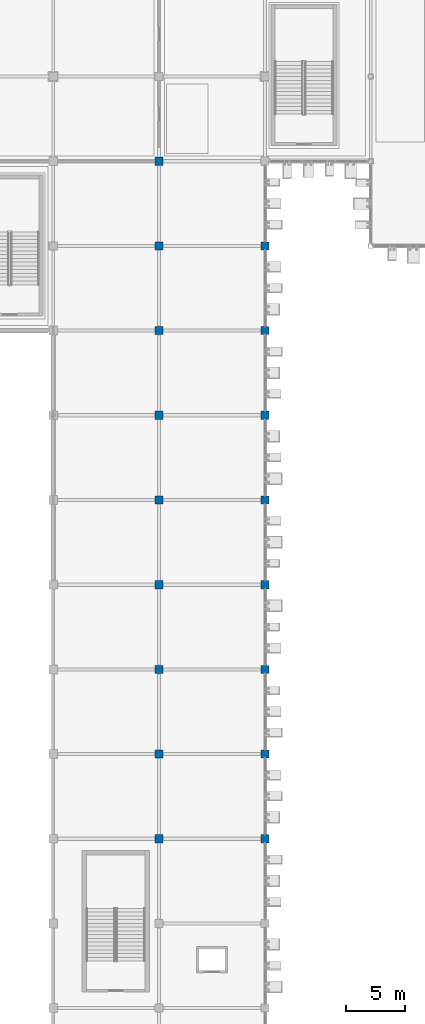
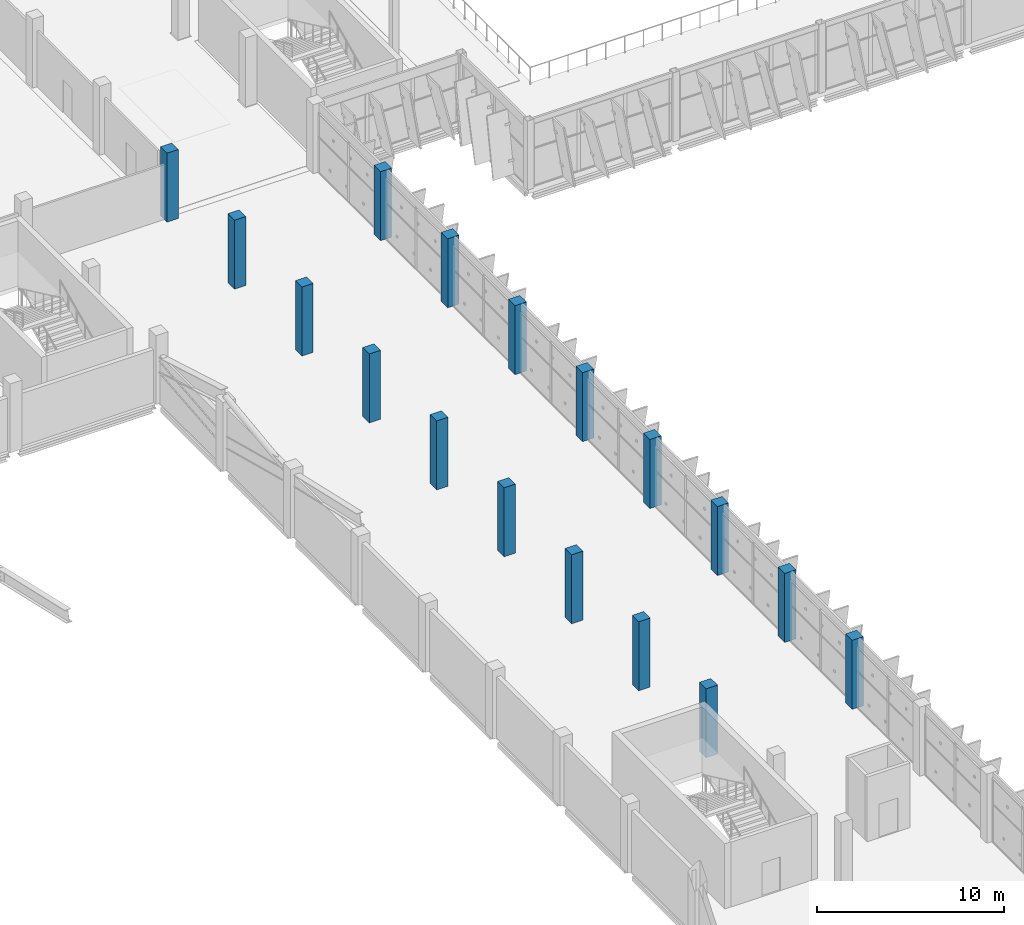
# One storey, part 8 of 151: 17 columns.
"""IFC4 building model written with IfcOpenShell, lengths in metres."""

from ifc_helpers import new_model, si_unit, direction, frame, origin, origin_2d, place, context, subcontext, project, spatial, rectangle, extrude, material, material_profile, profile_set, type_object, element, save


model = new_model("IFC4")

# Units and contexts
model_context = context("Model", 3, precision=1e-05, world=origin(), true_north=direction((0.0, 1.0)))
body_context = subcontext(model_context, "Body", "Model", "MODEL_VIEW")
ifc_project = project(units=[si_unit("LENGTHUNIT", "METRE"), si_unit("AREAUNIT", "SQUARE_METRE"), si_unit("VOLUMEUNIT", "CUBIC_METRE"), si_unit("PLANEANGLEUNIT", "RADIAN"), si_unit("MASSUNIT", "GRAM", prefix="KILO")], contexts=[model_context])

# Site, building, storey
site_placement = place(None, origin())
site = spatial("IfcSite", under=ifc_project, at=site_placement, CompositionType="ELEMENT")
building_placement = place(site_placement, origin())
building = spatial("IfcBuilding", under=site, at=building_placement, Name="Celestram Park Convention Centre", CompositionType="ELEMENT")
storey_placement = place(building_placement, frame((0.0, 0.0, 10.800048828125)))
storey = spatial("IfcBuildingStorey", under=building, at=storey_placement, Name="L02", CompositionType="ELEMENT", Elevation=10.800048828125)

# Columns
ifc_material = material(Name="Concrete C40/50", Category="concrete")
ifc_material_profile = material_profile(ifc_material, rectangle(XDim=0.699951171875, YDim=0.699951171875, at=origin_2d()), Name="RC700X700")
ifc_profile_set = profile_set([ifc_material_profile], Name="Concrete C40/50")
column_type = type_object("IfcColumnType", Name="STR-COL-RC700", PredefinedType="COLUMN", material=ifc_profile_set)
for number, where, z_axis, x_axis, name in (
    (1, (135.0, 64.800048828125, 0.0), (0.0, 0.0, 1.0), (1.0, 0.0, 0.0), "Column CN-L02-142"),
    (2, (135.0, 72.0, 0.0), (0.0, 0.0, 1.0), (1.0, 0.0, 0.0), "Column CN-L02-143"),
    (3, (135.0, 79.199951171875, 0.0), (0.0, 0.0, 1.0), (1.0, 0.0, 0.0), "Column CN-L02-144"),
    (4, (135.0, 86.39990234375, 0.0), (0.0, 0.0, 1.0), (1.0, 0.0, 0.0), "Column CN-L02-145"),
    (5, (135.0, 93.60009765625, 0.0), (0.0, 0.0, 1.0), (1.0, 0.0, 0.0), "Column CN-L02-146"),
    (6, (135.0, 100.800048828125, 0.0), (0.0, 0.0, 1.0), (1.0, 0.0, 0.0), "Column CN-L02-147"),
    (7, (135.0, 108.0, 0.0), (0.0, 0.0, 1.0), (1.0, 0.0, 0.0), "Column CN-L02-148"),
    (8, (135.0, 115.199951171875, 0.0), (0.0, 0.0, 1.0), (1.0, 0.0, 0.0), "Column CN-L02-149"),
    (9, (135.0, 122.39990234375, 0.0), (0.0, 0.0, 1.0), (1.0, 0.0, 0.0), "Column CN-L02-150"),
    (10, (144.0, 64.800048828125, 0.0), (0.0, 0.0, 1.0), (1.0, 0.0, 0.0), "Column CN-L02-166"),
    (11, (144.0, 72.0, 0.0), (0.0, 0.0, 1.0), (1.0, 0.0, 0.0), "Column CN-L02-167"),
    (12, (144.0, 79.199951171875, 0.0), (0.0, 0.0, 1.0), (1.0, 0.0, 0.0), "Column CN-L02-168"),
    (13, (144.0, 86.39990234375, 0.0), (0.0, 0.0, 1.0), (1.0, 0.0, 0.0), "Column CN-L02-169"),
    (14, (144.0, 93.60009765625, 0.0), (0.0, 0.0, 1.0), (1.0, 0.0, 0.0), "Column CN-L02-170"),
    (15, (144.0, 100.800048828125, 0.0), (0.0, 0.0, 1.0), (1.0, 0.0, 0.0), "Column CN-L02-171"),
    (16, (144.0, 108.0, 0.0), (0.0, 0.0, 1.0), (1.0, 0.0, 0.0), "Column CN-L02-172"),
    (17, (144.0, 115.199951171875, 0.0), (0.0, 0.0, 1.0), (1.0, 0.0, 0.0), "Column CN-L02-173"),
):
    element("IfcColumn", number, at=place(storey_placement, frame(where, z_axis=z_axis, x_axis=x_axis)), inside=storey, type_object=column_type, Name=name, PredefinedType="COLUMN", context=body_context, shape_type="SweptSolid", body=[
        extrude(rectangle(XDim=0.699951171875, YDim=0.699951171875, at=origin_2d()), origin(), (0.0, 0.0, 1.0), 4.5),
    ])

save(model, "model.ifc")
